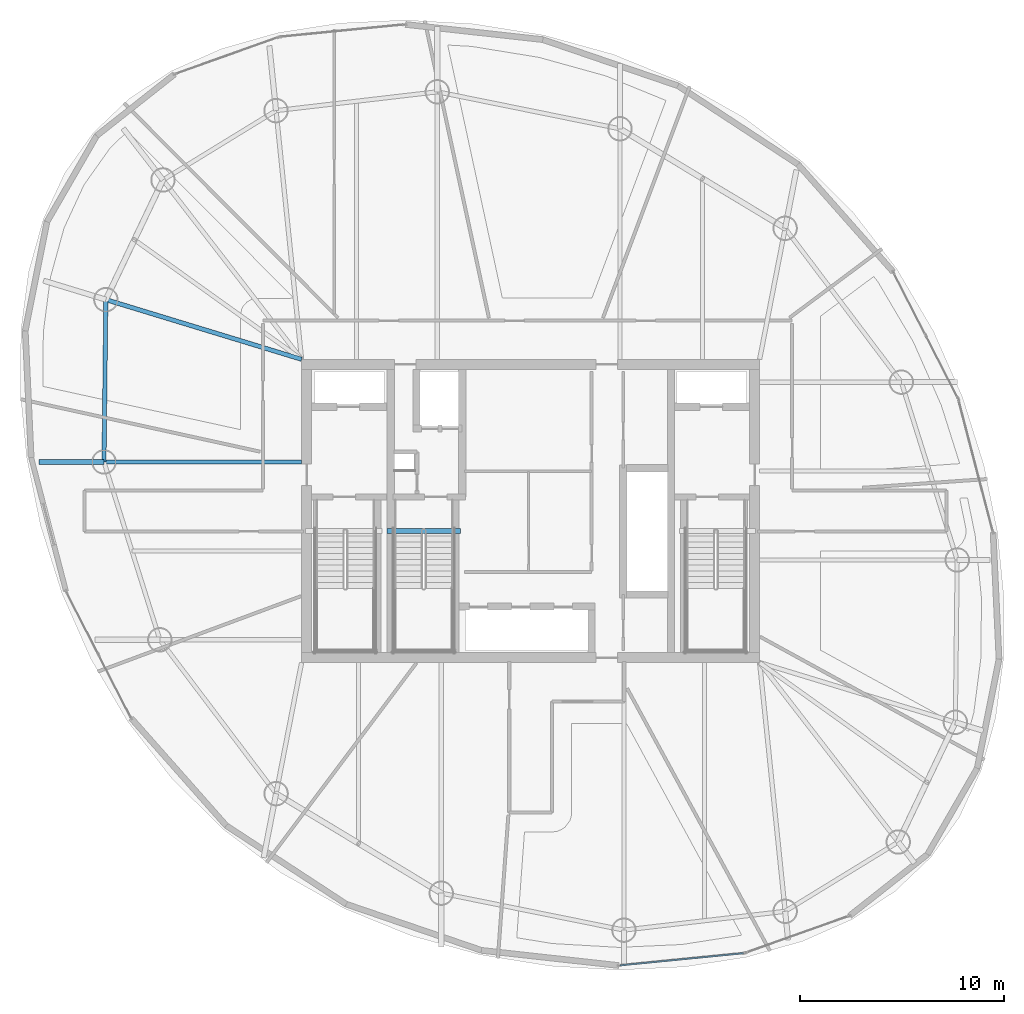
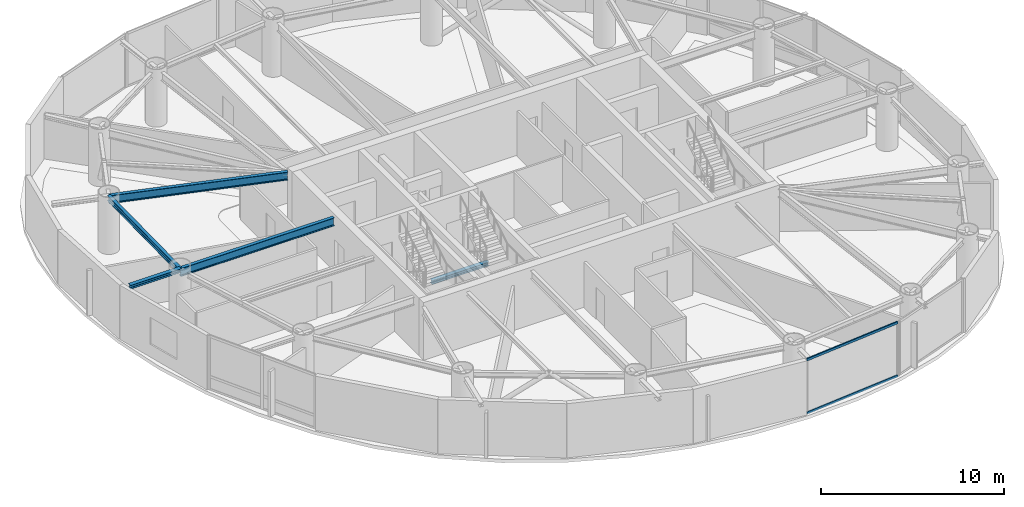
# One storey, part 7 of 23: 5 beams, 2 members, 1 element without a shape of its own.
"""IFC4 building model written with IfcOpenShell, lengths in metres."""

from ifc_helpers import new_model, si_unit, direction, frame, origin, origin_2d, place, context, subcontext, project, spatial, hollow_rectangle, i_section, extrude, material, layer, layer_set, material_profile, profile_set, type_object, element, aggregate, save


model = new_model("IFC4")

# Units and contexts
model_context = context("Model", 3, precision=1e-05, world=origin(), true_north=direction((0.0, 1.0)))
body_context = subcontext(model_context, "Body", "Model", "MODEL_VIEW")
ifc_project = project(units=[si_unit("LENGTHUNIT", "METRE"), si_unit("AREAUNIT", "SQUARE_METRE"), si_unit("VOLUMEUNIT", "CUBIC_METRE"), si_unit("PLANEANGLEUNIT", "RADIAN"), si_unit("MASSUNIT", "GRAM", prefix="KILO")], contexts=[model_context])

# Site, building, storey
site_placement = place(None, origin())
site = spatial("IfcSite", under=ifc_project, at=site_placement, CompositionType="ELEMENT")
building_placement = place(site_placement, origin())
building = spatial("IfcBuilding", under=site, at=building_placement, Name="Bramvorn Convention Spire", CompositionType="ELEMENT")
storey_placement = place(building_placement, frame((0.0, 0.0, 194.300048828125)))
storey = spatial("IfcBuildingStorey", under=building, at=storey_placement, Name="L49", CompositionType="ELEMENT", Elevation=194.300048828125)

# Beams
ifc_material_1 = material(Name="Steel CSA G40.21 Grade 350 (350W)", Category="steel")
ifc_material_profile_1 = material_profile(ifc_material_1, i_section(OverallWidth=0.25390625, OverallDepth=0.2529296875, WebThickness=0.008544921875, FlangeThickness=0.01416015625, FilletRadius=0.011962890625, at=origin_2d()))
ifc_profile_set_1 = profile_set([ifc_material_profile_1], Name="Steel CSA G40.21 Grade 350 (350W) - W250X73")
beam_type_1 = type_object("IfcBeamType", Name="BM-W250X73", PredefinedType="BEAM", material=ifc_profile_set_1)
beam_1_placement = place(storey_placement, frame((17.04541015625, 28.406494140625, 3.493408203125), z_axis=(-1.0, 0.0, 0.0), x_axis=(0.0, -1.0, 0.0)))
element("IfcBeam", 1, at=beam_1_placement, inside=storey, type_object=beam_type_1, Name="L49 slab-edge cantilever tip beam MC11", PredefinedType="BEAM", context=body_context, shape_type="SweptSolid", body=[
    extrude(i_section(OverallWidth=0.25390625, OverallDepth=0.2529296875, WebThickness=0.008544921875, FlangeThickness=0.01416015625, FilletRadius=0.011962890625, at=origin_2d()), origin(), (0.0, 0.0, 1.0), 3.2001953125),
])
beam_2_placement = place(storey_placement, frame((30.949951171875, 25.010009765625, -0.12646484375), z_axis=(1.0, 0.0, 0.0), x_axis=(0.0, 1.0, 0.0)))
element("IfcBeam", 2, at=beam_2_placement, inside=storey, type_object=beam_type_1, Name="L49 ST3 stair arrival header beam", PredefinedType="BEAM", context=body_context, shape_type="SweptSolid", body=[
    extrude(i_section(OverallWidth=0.25390625, OverallDepth=0.2529296875, WebThickness=0.008544921875, FlangeThickness=0.01416015625, FilletRadius=0.011962890625, at=origin_2d()), origin(), (0.0, 0.0, 1.0), 3.610107421875),
])
ifc_material_profile_2 = material_profile(ifc_material_1, i_section(OverallWidth=0.205078125, OverallDepth=0.35400390625, WebThickness=0.009521484375, FlangeThickness=0.016845703125, FilletRadius=0.014892578125, at=origin_2d()))
ifc_profile_set_2 = profile_set([ifc_material_profile_2], Name="Steel CSA G40.21 Grade 350 (350W) - W360X79")
beam_type_2 = type_object("IfcBeamType", Name="BM-W360X79", PredefinedType="JOIST", material=ifc_profile_set_2)
beam_3_placement = place(storey_placement, frame((17.136962890625, 36.380615234375, 3.44287109375), z_axis=(-0.011480475367, -0.999934097171, 0.0), x_axis=(0.999934097171, -0.011480475367, 0.0)))
element("IfcBeam", 3, at=beam_3_placement, inside=storey, type_object=beam_type_2, Name="L49 mega-column ring beam 10", PredefinedType="JOIST", context=body_context, shape_type="SweptSolid", body=[
    extrude(i_section(OverallWidth=0.205078125, OverallDepth=0.35400390625, WebThickness=0.009521484375, FlangeThickness=0.016845703125, FilletRadius=0.014892578125, at=origin_2d()), origin(), (0.0, 0.0, 1.0), 7.974609375),
])
ifc_material_profile_3 = material_profile(ifc_material_1, i_section(OverallWidth=0.2119140625, OverallDepth=0.5439453125, WebThickness=0.01318359375, FlangeThickness=0.021240234375, FilletRadius=0.01904296875, at=origin_2d()))
ifc_profile_set_3 = profile_set([ifc_material_profile_3], Name="Steel CSA G40.21 Grade 350 (350W) - W530X123")
beam_type_3 = type_object("IfcBeamType", Name="BM-W530X123", PredefinedType="BEAM", material=ifc_profile_set_3)
beam_4_placement = place(storey_placement, frame((26.75, 33.449951171875, 3.347900390625), z_axis=(-0.95653637984, 0.291613021044, 0.0), x_axis=(-0.291613021044, -0.95653637984, 0.0)))
element("IfcBeam", 4, at=beam_4_placement, inside=storey, type_object=beam_type_3, Name="L49 radial floor girder MC10", PredefinedType="BEAM", context=body_context, shape_type="SweptSolid", body=[
    extrude(i_section(OverallWidth=0.2119140625, OverallDepth=0.5439453125, WebThickness=0.01318359375, FlangeThickness=0.021240234375, FilletRadius=0.01904296875, at=origin_2d()), origin(), (0.0, 0.0, 1.0), 10.0498046875),
])
beam_5_placement = place(storey_placement, frame((26.75, 28.406494140625, 3.347900390625), z_axis=(-1.0, 0.0, 0.0), x_axis=(0.0, -1.0, 0.0)))
element("IfcBeam", 5, at=beam_5_placement, inside=storey, type_object=beam_type_3, Name="L49 radial floor girder MC11", PredefinedType="BEAM", context=body_context, shape_type="SweptSolid", body=[
    extrude(i_section(OverallWidth=0.2119140625, OverallDepth=0.5439453125, WebThickness=0.01318359375, FlangeThickness=0.021240234375, FilletRadius=0.01904296875, at=origin_2d()), origin(), (0.0, 0.0, 1.0), 9.70458984375),
])

# Curtain wall, members
ifc_material_2 = material(Name="Anodised Bronze Unitised Curtain Wall", Category="aluminium")
ifc_layer = layer(ifc_material_2, 0.179931640625)
ifc_layer_set = layer_set([ifc_layer], Name="Anodised Bronze Unitised Curtain Wall - CW-OFF-FRIT")
curtain_wall_type = type_object("IfcCurtainWallType", Name="CW-OFF-FRIT", PredefinedType="USERDEFINED", material=ifc_layer_set)
curtain_wall_placement = place(storey_placement, origin())
curtain_wall = element("IfcCurtainWall", 6, at=curtain_wall_placement, inside=storey, type_object=curtain_wall_type, Name="L49 fritted glass curtain wall 22", ObjectType="UNITISED CURTAIN WALL", PredefinedType="USERDEFINED")
ifc_material_3 = material(Name="Anodised Bronze Aluminium 6063-T6", Category="aluminium")
ifc_material_profile_4 = material_profile(ifc_material_3, hollow_rectangle(XDim=0.080078125, YDim=0.159912109375, WallThickness=0.00390625, InnerFilletRadius=0.0009765625, OuterFilletRadius=0.00390625, at=origin_2d()))
ifc_profile_set_4 = profile_set([ifc_material_profile_4], Name="Anodised Bronze Aluminium 6063-T6 - CWT80X160")
member_type = type_object("IfcMemberType", Name="CW-TRN-150", PredefinedType="USERDEFINED", material=ifc_profile_set_4)
member_1_placement = place(storey_placement, frame((48.465087890625, 4.278076171875, 0.030029296875), z_axis=(-0.995178683557, -0.098078477733, 0.0), x_axis=(0.098078477733, -0.995178683557, 0.0)))
member_1 = element("IfcMember", 7, at=member_1_placement, type_object=member_type, Name="CW3 transom 1.1", ObjectType="TRANSOM", PredefinedType="USERDEFINED", context=body_context, shape_type="SweptSolid", body=[
    extrude(hollow_rectangle(XDim=0.080078125, YDim=0.159912109375, WallThickness=0.00390625, InnerFilletRadius=0.0009765625, OuterFilletRadius=0.00390625, at=origin_2d()), origin(), (0.0, 0.0, 1.0), 6.106201171875),
])
member_2_placement = place(storey_placement, frame((48.465087890625, 4.278076171875, 3.58984375), z_axis=(-0.995178683557, -0.098078477733, 0.0), x_axis=(0.098078477733, -0.995178683557, 0.0)))
member_2 = element("IfcMember", 8, at=member_2_placement, type_object=member_type, Name="CW3 transom 1.2", ObjectType="TRANSOM", PredefinedType="USERDEFINED", context=body_context, shape_type="SweptSolid", body=[
    extrude(hollow_rectangle(XDim=0.080078125, YDim=0.159912109375, WallThickness=0.00390625, InnerFilletRadius=0.0009765625, OuterFilletRadius=0.00390625, at=origin_2d()), origin(), (0.0, 0.0, 1.0), 6.106201171875),
])
aggregate(curtain_wall, [member_1, member_2])

save(model, "model.ifc")
